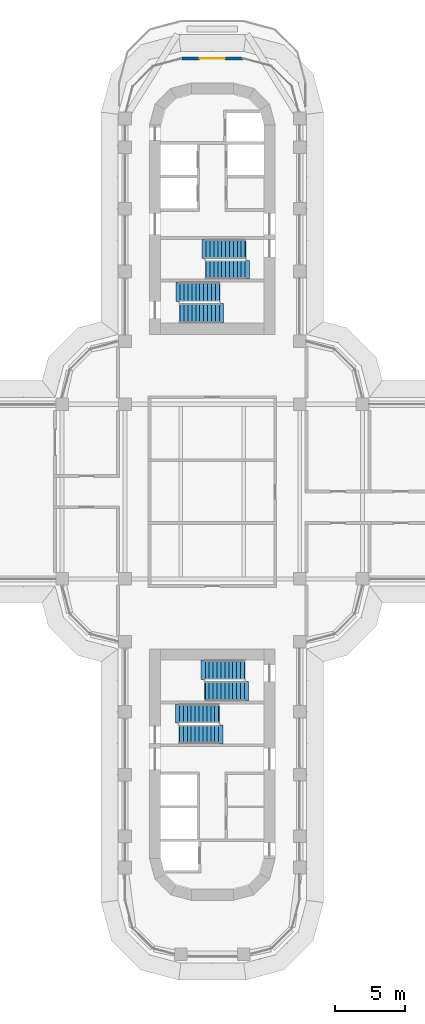
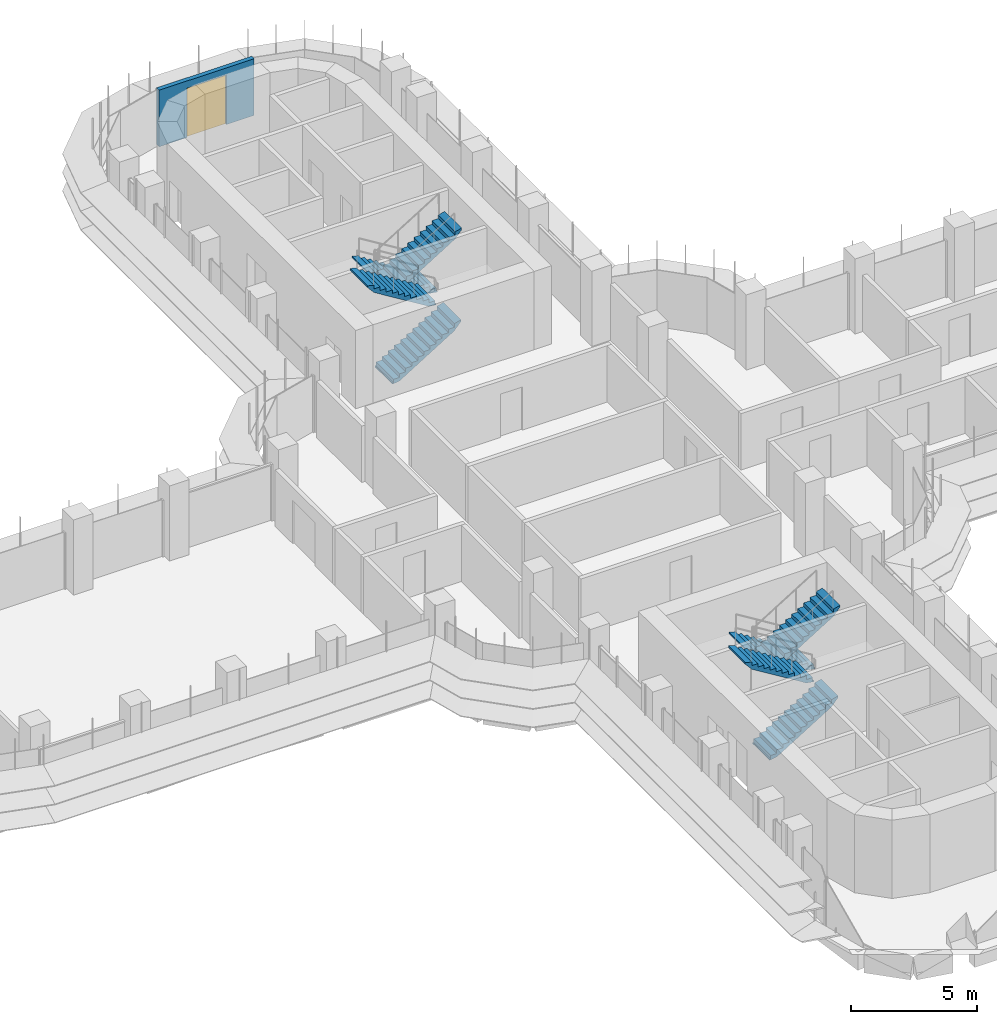
# One storey, part 18 of 22: 8 stair flights, 1 door, 1 wall, 1 opening, 4 elements without a shape of their own.
"""IFC4 building model written with IfcOpenShell, lengths in metres."""

from ifc_helpers import new_model, si_unit, direction, frame, frame_2d, origin, place, context, subcontext, project, spatial, polyline, rectangle, outline, extrude, material, layer, layer_set, type_object, element, fill, aggregate, save


model = new_model("IFC4")

# Units and contexts
model_context = context("Model", 3, precision=1e-05, world=origin(), true_north=direction((0.0, 1.0)))
body_context = subcontext(model_context, "Body", "Model", "MODEL_VIEW")
ifc_project = project(units=[si_unit("LENGTHUNIT", "METRE"), si_unit("AREAUNIT", "SQUARE_METRE"), si_unit("VOLUMEUNIT", "CUBIC_METRE"), si_unit("PLANEANGLEUNIT", "RADIAN"), si_unit("MASSUNIT", "GRAM", prefix="KILO")], contexts=[model_context])

# Site, building, storey
site_placement = place(None, origin())
site = spatial("IfcSite", under=ifc_project, at=site_placement, CompositionType="ELEMENT")
building_placement = place(site_placement, origin())
building = spatial("IfcBuilding", under=site, at=building_placement, Name="Zarbagh Exchange Tower", CompositionType="ELEMENT")
storey_placement = place(building_placement, frame((0.0, 0.0, 94.199951171875)))
storey = spatial("IfcBuildingStorey", under=building, at=storey_placement, Name="L21", CompositionType="ELEMENT", Elevation=94.199951171875)

# Wall, opening, door
ifc_material_1 = material(Name="Precast concrete C50/60", Category="concrete")
ifc_layer = layer(ifc_material_1, 0.199951171875)
ifc_layer_set = layer_set([ifc_layer], Name="Terrace door wall, precast concrete C50/60")
wall_type = type_object("IfcWallType", Name="Terrace door wall, precast concrete C50/60", PredefinedType="SOLIDWALL", material=ifc_layer_set)
wall_placement = place(storey_placement, frame((2.18408203125, 31.0, 0.0), z_axis=(0.0, 0.0, 1.0), x_axis=(-1.0, 0.0, 0.0)))
wall = element("IfcWall", 1, at=wall_placement, inside=storey, type_object=wall_type, Name="TW42 door wall", PredefinedType="SOLIDWALL", context=body_context, shape_type="SweptSolid", body=[
    extrude(rectangle(XDim=4.3681640625, YDim=0.199951171875, at=frame_2d((2.18408203125, 0.0))), origin(), (0.0, 0.0, 1.0), 2.75),
])
opening_placement = place(wall_placement, frame((1.2841796875, 0.0, 0.0)))
opening = element("IfcOpeningElement", 2, at=opening_placement, cuts=wall, Name="Opening TD01", PredefinedType="OPENING", context=body_context, shape_type="SweptSolid", body=[
    extrude(rectangle(XDim=1.800048828125, YDim=2.39990234375, at=frame_2d((0.89990234375, 1.199951171875))), frame((0.0, 0.10986328125, 0.0), z_axis=(0.0, -1.0, 0.0), x_axis=(1.0, 0.0, 0.0)), (0.0, 0.0, 1.0), 0.219970703125),
])
ifc_material_2 = material(Name="Anodised aluminium and glass", Category="aluminium")
door_type = type_object("IfcDoorType", Name="Terrace door, double leaf, aluminium and glass", OperationType="DOUBLE_DOOR_DOUBLE_SWING", PredefinedType="DOOR", material=ifc_material_2)
door_placement = place(opening_placement, origin())
door = element("IfcDoor", 3, at=door_placement, inside=storey, type_object=door_type, Name="TD01 terrace door", OperationType="SINGLE_SWING_LEFT", OverallHeight=2.39990234375, OverallWidth=1.800048828125, PredefinedType="DOOR", context=body_context, shape_type="SweptSolid", body=[
    extrude(rectangle(XDim=1.800048828125, YDim=2.39990234375, at=frame_2d((0.89990234375, 1.199951171875))), frame((0.0, 0.02490234375, 0.0), z_axis=(0.0, -1.0, 0.0), x_axis=(1.0, 0.0, 0.0)), (0.0, 0.0, 1.0), 0.050048828125),
])
fill(opening, door)

# Stair, stair flights
ifc_material_3 = material(Name="Concrete C40/50", Category="concrete")
stair_type = type_object("IfcStairType", Name="Exit stair two-flight half-turn", PredefinedType="HALF_TURN_STAIR", material=ifc_material_3)
stair_1_placement = place(storey_placement, origin())
stair_1 = element("IfcStair", 4, at=stair_1_placement, inside=storey, type_object=stair_type, Name="exit stair ST1", PredefinedType="HALF_TURN_STAIR")
stair_flight_type_1 = type_object("IfcStairFlightType", Name="Stair flight 1350 mm", PredefinedType="STRAIGHT", material=ifc_material_3)
stair_flight_1_placement = place(storey_placement, frame((2.35009765625, 17.375, 0.0), z_axis=(0.0, 0.0, 1.0), x_axis=(-1.0, 0.0, 0.0)))
stair_flight_1 = element("IfcStairFlight", 5, at=stair_flight_1_placement, type_object=stair_flight_type_1, Name="ST1 flight 1", NumberOfRisers=11, NumberOfTreads=10, PredefinedType="STRAIGHT", RiserHeight=0.172727273, TreadLength=0.28, context=body_context, shape_type="SweptSolid", body=[
    extrude(outline(polyline([(-0.050048828125, -0.050048828125), (-0.050048828125, 0.0), (0.0, 0.0), (0.0, 0.172607421875), (0.280029296875, 0.172607421875), (0.280029296875, 0.345458984375), (0.56005859375, 0.345458984375), (0.56005859375, 0.51806640625), (0.840087890625, 0.51806640625), (0.840087890625, 0.69091796875), (1.1201171875, 0.69091796875), (1.1201171875, 0.863525390625), (1.39990234375, 0.863525390625), (1.39990234375, 1.036376953125), (1.679931640625, 1.036376953125), (1.679931640625, 1.208984375), (1.9599609375, 1.208984375), (1.9599609375, 1.3818359375), (2.239990234375, 1.3818359375), (2.239990234375, 1.554443359375), (2.52001953125, 1.554443359375), (2.52001953125, 1.727294921875), (2.800048828125, 1.727294921875), (2.800048828125, 1.89990234375), (3.10009765625, 1.97998046875), (3.10009765625, 1.89990234375), (2.800048828125, 1.551025390625), (0.285400390625, 0.0), (-0.050048828125, -0.050048828125)])), frame((0.0, 0.675048828125, 0.0), z_axis=(0.0, -1.0, 0.0), x_axis=(1.0, 0.0, 0.0)), (0.0, 0.0, 1.0), 1.35009765625),
])
stair_flight_2_placement = place(storey_placement, frame((-0.449951171875, 15.875, 1.900146484375), z_axis=(0.0, 0.0, 1.0), x_axis=(1.0, 0.0, 0.0)))
stair_flight_2 = element("IfcStairFlight", 6, at=stair_flight_2_placement, type_object=stair_flight_type_1, Name="ST1 flight 2", NumberOfRisers=11, NumberOfTreads=10, PredefinedType="STRAIGHT", RiserHeight=0.172727273, TreadLength=0.28, context=body_context, shape_type="SweptSolid", body=[
    extrude(outline(polyline([(-0.050048828125, -0.050048828125), (-0.050048828125, 0.0), (0.0, 0.0), (0.0, 0.172607421875), (0.280029296875, 0.172607421875), (0.280029296875, 0.345458984375), (0.56005859375, 0.345458984375), (0.56005859375, 0.51806640625), (0.840087890625, 0.51806640625), (0.840087890625, 0.69091796875), (1.1201171875, 0.69091796875), (1.1201171875, 0.863525390625), (1.39990234375, 0.863525390625), (1.39990234375, 1.036376953125), (1.679931640625, 1.036376953125), (1.679931640625, 1.208984375), (1.9599609375, 1.208984375), (1.9599609375, 1.3818359375), (2.239990234375, 1.3818359375), (2.239990234375, 1.554443359375), (2.52001953125, 1.554443359375), (2.52001953125, 1.727294921875), (2.800048828125, 1.727294921875), (2.800048828125, 1.89990234375), (3.10009765625, 1.97998046875), (3.10009765625, 1.89990234375), (2.800048828125, 1.551025390625), (0.285400390625, 0.0), (-0.050048828125, -0.050048828125)])), frame((0.0, 0.675048828125, 0.0), z_axis=(0.0, -1.0, 0.0), x_axis=(1.0, 0.0, 0.0)), (0.0, 0.0, 1.0), 1.35009765625),
])
aggregate(stair_1, [stair_flight_1, stair_flight_2])

stair_2_placement = place(storey_placement, origin())
stair_2 = element("IfcStair", 7, at=stair_2_placement, inside=storey, type_object=stair_type, Name="exit stair ST3", PredefinedType="HALF_TURN_STAIR")
stair_flight_3_placement = place(storey_placement, frame((-2.35009765625, -17.375, 0.0), z_axis=(0.0, 0.0, 1.0), x_axis=(1.0, 0.0, 0.0)))
stair_flight_3 = element("IfcStairFlight", 8, at=stair_flight_3_placement, type_object=stair_flight_type_1, Name="ST3 flight 1", NumberOfRisers=11, NumberOfTreads=10, PredefinedType="STRAIGHT", RiserHeight=0.172727273, TreadLength=0.28, context=body_context, shape_type="SweptSolid", body=[
    extrude(outline(polyline([(-0.050048828125, -0.050048828125), (-0.050048828125, 0.0), (0.0, 0.0), (0.0, 0.172607421875), (0.280029296875, 0.172607421875), (0.280029296875, 0.345458984375), (0.56005859375, 0.345458984375), (0.56005859375, 0.51806640625), (0.840087890625, 0.51806640625), (0.840087890625, 0.69091796875), (1.1201171875, 0.69091796875), (1.1201171875, 0.863525390625), (1.39990234375, 0.863525390625), (1.39990234375, 1.036376953125), (1.679931640625, 1.036376953125), (1.679931640625, 1.208984375), (1.9599609375, 1.208984375), (1.9599609375, 1.3818359375), (2.239990234375, 1.3818359375), (2.239990234375, 1.554443359375), (2.52001953125, 1.554443359375), (2.52001953125, 1.727294921875), (2.800048828125, 1.727294921875), (2.800048828125, 1.89990234375), (3.10009765625, 1.97998046875), (3.10009765625, 1.89990234375), (2.800048828125, 1.551025390625), (0.285400390625, 0.0), (-0.050048828125, -0.050048828125)])), frame((0.0, 0.675048828125, 0.0), z_axis=(0.0, -1.0, 0.0), x_axis=(1.0, 0.0, 0.0)), (0.0, 0.0, 1.0), 1.35009765625),
])
stair_flight_4_placement = place(storey_placement, frame((0.449951171875, -15.875, 1.900146484375), z_axis=(0.0, 0.0, 1.0), x_axis=(-1.0, 0.0, 0.0)))
stair_flight_4 = element("IfcStairFlight", 9, at=stair_flight_4_placement, type_object=stair_flight_type_1, Name="ST3 flight 2", NumberOfRisers=11, NumberOfTreads=10, PredefinedType="STRAIGHT", RiserHeight=0.172727273, TreadLength=0.28, context=body_context, shape_type="SweptSolid", body=[
    extrude(outline(polyline([(-0.050048828125, -0.050048828125), (-0.050048828125, 0.0), (0.0, 0.0), (0.0, 0.172607421875), (0.280029296875, 0.172607421875), (0.280029296875, 0.345458984375), (0.56005859375, 0.345458984375), (0.56005859375, 0.51806640625), (0.840087890625, 0.51806640625), (0.840087890625, 0.69091796875), (1.1201171875, 0.69091796875), (1.1201171875, 0.863525390625), (1.39990234375, 0.863525390625), (1.39990234375, 1.036376953125), (1.679931640625, 1.036376953125), (1.679931640625, 1.208984375), (1.9599609375, 1.208984375), (1.9599609375, 1.3818359375), (2.239990234375, 1.3818359375), (2.239990234375, 1.554443359375), (2.52001953125, 1.554443359375), (2.52001953125, 1.727294921875), (2.800048828125, 1.727294921875), (2.800048828125, 1.89990234375), (3.10009765625, 1.97998046875), (3.10009765625, 1.89990234375), (2.800048828125, 1.551025390625), (0.285400390625, 0.0), (-0.050048828125, -0.050048828125)])), frame((0.0, 0.675048828125, 0.0), z_axis=(0.0, -1.0, 0.0), x_axis=(1.0, 0.0, 0.0)), (0.0, 0.0, 1.0), 1.35009765625),
])
aggregate(stair_2, [stair_flight_3, stair_flight_4])

stair_3_placement = place(storey_placement, origin())
stair_3 = element("IfcStair", 10, at=stair_3_placement, inside=storey, type_object=stair_type, Name="exit stair ST2", PredefinedType="HALF_TURN_STAIR")
stair_flight_type_2 = type_object("IfcStairFlightType", Name="Stair flight 1400 mm", PredefinedType="STRAIGHT", material=ifc_material_3)
stair_flight_5_placement = place(storey_placement, frame((-2.300048828125, 12.75, 0.0), z_axis=(0.0, 0.0, 1.0), x_axis=(1.0, 0.0, 0.0)))
stair_flight_5 = element("IfcStairFlight", 11, at=stair_flight_5_placement, type_object=stair_flight_type_2, Name="ST2 flight 1", NumberOfRisers=11, NumberOfTreads=10, PredefinedType="STRAIGHT", RiserHeight=0.172727273, TreadLength=0.28, context=body_context, shape_type="SweptSolid", body=[
    extrude(outline(polyline([(-0.050048828125, -0.050048828125), (-0.050048828125, 0.0), (0.0, 0.0), (0.0, 0.172607421875), (0.280029296875, 0.172607421875), (0.280029296875, 0.345458984375), (0.56005859375, 0.345458984375), (0.56005859375, 0.51806640625), (0.840087890625, 0.51806640625), (0.840087890625, 0.69091796875), (1.1201171875, 0.69091796875), (1.1201171875, 0.863525390625), (1.39990234375, 0.863525390625), (1.39990234375, 1.036376953125), (1.679931640625, 1.036376953125), (1.679931640625, 1.208984375), (1.9599609375, 1.208984375), (1.9599609375, 1.3818359375), (2.239990234375, 1.3818359375), (2.239990234375, 1.554443359375), (2.52001953125, 1.554443359375), (2.52001953125, 1.727294921875), (2.800048828125, 1.727294921875), (2.800048828125, 1.89990234375), (3.10009765625, 1.97998046875), (3.10009765625, 1.89990234375), (2.800048828125, 1.551025390625), (0.285400390625, 0.0), (-0.050048828125, -0.050048828125)])), frame((0.0, 0.699951171875, 0.0), z_axis=(0.0, -1.0, 0.0), x_axis=(1.0, 0.0, 0.0)), (0.0, 0.0, 1.0), 1.39990234375),
])
stair_flight_6_placement = place(storey_placement, frame((0.5, 14.300048828125, 1.900146484375), z_axis=(0.0, 0.0, 1.0), x_axis=(-1.0, 0.0, 0.0)))
stair_flight_6 = element("IfcStairFlight", 12, at=stair_flight_6_placement, type_object=stair_flight_type_2, Name="ST2 flight 2", NumberOfRisers=11, NumberOfTreads=10, PredefinedType="STRAIGHT", RiserHeight=0.172727273, TreadLength=0.28, context=body_context, shape_type="SweptSolid", body=[
    extrude(outline(polyline([(-0.050048828125, -0.050048828125), (-0.050048828125, 0.0), (0.0, 0.0), (0.0, 0.172607421875), (0.280029296875, 0.172607421875), (0.280029296875, 0.345458984375), (0.56005859375, 0.345458984375), (0.56005859375, 0.51806640625), (0.840087890625, 0.51806640625), (0.840087890625, 0.69091796875), (1.1201171875, 0.69091796875), (1.1201171875, 0.863525390625), (1.39990234375, 0.863525390625), (1.39990234375, 1.036376953125), (1.679931640625, 1.036376953125), (1.679931640625, 1.208984375), (1.9599609375, 1.208984375), (1.9599609375, 1.3818359375), (2.239990234375, 1.3818359375), (2.239990234375, 1.554443359375), (2.52001953125, 1.554443359375), (2.52001953125, 1.727294921875), (2.800048828125, 1.727294921875), (2.800048828125, 1.89990234375), (3.10009765625, 1.97998046875), (3.10009765625, 1.89990234375), (2.800048828125, 1.551025390625), (0.285400390625, 0.0), (-0.050048828125, -0.050048828125)])), frame((0.0, 0.699951171875, 0.0), z_axis=(0.0, -1.0, 0.0), x_axis=(1.0, 0.0, 0.0)), (0.0, 0.0, 1.0), 1.39990234375),
])
aggregate(stair_3, [stair_flight_5, stair_flight_6])

stair_4_placement = place(storey_placement, origin())
stair_4 = element("IfcStair", 13, at=stair_4_placement, inside=storey, type_object=stair_type, Name="exit stair ST4", PredefinedType="HALF_TURN_STAIR")
stair_flight_7_placement = place(storey_placement, frame((2.300048828125, -12.75, 0.0), z_axis=(0.0, 0.0, 1.0), x_axis=(-1.0, 0.0, 0.0)))
stair_flight_7 = element("IfcStairFlight", 14, at=stair_flight_7_placement, type_object=stair_flight_type_2, Name="ST4 flight 1", NumberOfRisers=11, NumberOfTreads=10, PredefinedType="STRAIGHT", RiserHeight=0.172727273, TreadLength=0.28, context=body_context, shape_type="SweptSolid", body=[
    extrude(outline(polyline([(-0.050048828125, -0.050048828125), (-0.050048828125, 0.0), (0.0, 0.0), (0.0, 0.172607421875), (0.280029296875, 0.172607421875), (0.280029296875, 0.345458984375), (0.56005859375, 0.345458984375), (0.56005859375, 0.51806640625), (0.840087890625, 0.51806640625), (0.840087890625, 0.69091796875), (1.1201171875, 0.69091796875), (1.1201171875, 0.863525390625), (1.39990234375, 0.863525390625), (1.39990234375, 1.036376953125), (1.679931640625, 1.036376953125), (1.679931640625, 1.208984375), (1.9599609375, 1.208984375), (1.9599609375, 1.3818359375), (2.239990234375, 1.3818359375), (2.239990234375, 1.554443359375), (2.52001953125, 1.554443359375), (2.52001953125, 1.727294921875), (2.800048828125, 1.727294921875), (2.800048828125, 1.89990234375), (3.10009765625, 1.97998046875), (3.10009765625, 1.89990234375), (2.800048828125, 1.551025390625), (0.285400390625, 0.0), (-0.050048828125, -0.050048828125)])), frame((0.0, 0.699951171875, 0.0), z_axis=(0.0, -1.0, 0.0), x_axis=(1.0, 0.0, 0.0)), (0.0, 0.0, 1.0), 1.39990234375),
])
stair_flight_8_placement = place(storey_placement, frame((-0.5, -14.300048828125, 1.900146484375), z_axis=(0.0, 0.0, 1.0), x_axis=(1.0, 0.0, 0.0)))
stair_flight_8 = element("IfcStairFlight", 15, at=stair_flight_8_placement, type_object=stair_flight_type_2, Name="ST4 flight 2", NumberOfRisers=11, NumberOfTreads=10, PredefinedType="STRAIGHT", RiserHeight=0.172727273, TreadLength=0.28, context=body_context, shape_type="SweptSolid", body=[
    extrude(outline(polyline([(-0.050048828125, -0.050048828125), (-0.050048828125, 0.0), (0.0, 0.0), (0.0, 0.172607421875), (0.280029296875, 0.172607421875), (0.280029296875, 0.345458984375), (0.56005859375, 0.345458984375), (0.56005859375, 0.51806640625), (0.840087890625, 0.51806640625), (0.840087890625, 0.69091796875), (1.1201171875, 0.69091796875), (1.1201171875, 0.863525390625), (1.39990234375, 0.863525390625), (1.39990234375, 1.036376953125), (1.679931640625, 1.036376953125), (1.679931640625, 1.208984375), (1.9599609375, 1.208984375), (1.9599609375, 1.3818359375), (2.239990234375, 1.3818359375), (2.239990234375, 1.554443359375), (2.52001953125, 1.554443359375), (2.52001953125, 1.727294921875), (2.800048828125, 1.727294921875), (2.800048828125, 1.89990234375), (3.10009765625, 1.97998046875), (3.10009765625, 1.89990234375), (2.800048828125, 1.551025390625), (0.285400390625, 0.0), (-0.050048828125, -0.050048828125)])), frame((0.0, 0.699951171875, 0.0), z_axis=(0.0, -1.0, 0.0), x_axis=(1.0, 0.0, 0.0)), (0.0, 0.0, 1.0), 1.39990234375),
])
aggregate(stair_4, [stair_flight_7, stair_flight_8])

save(model, "model.ifc")
